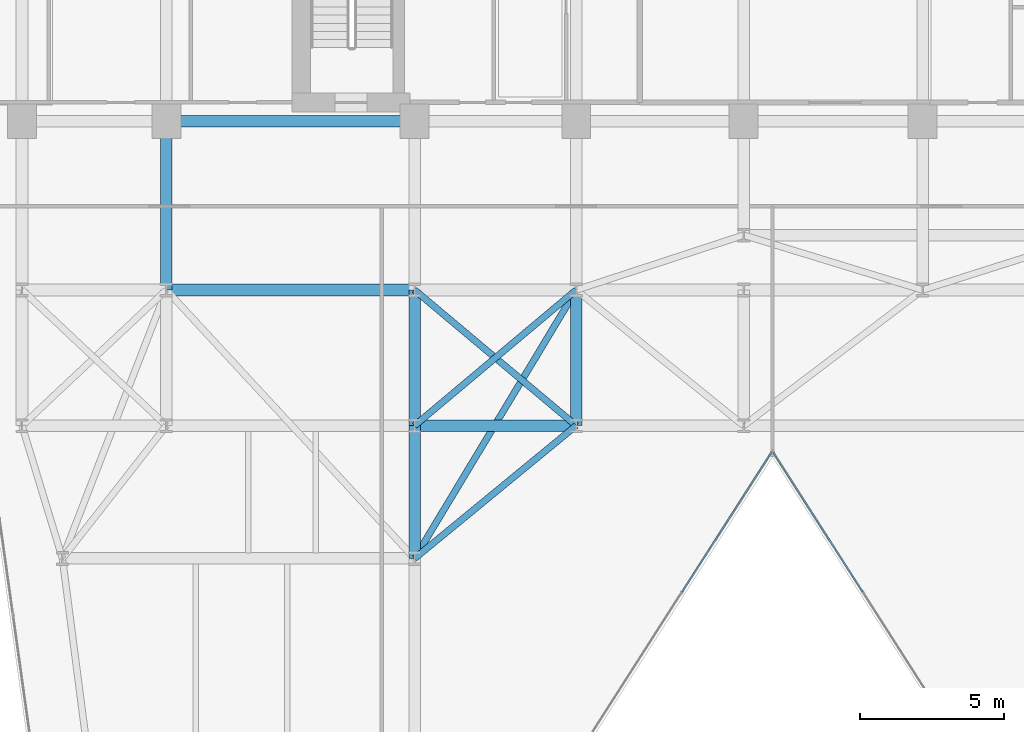
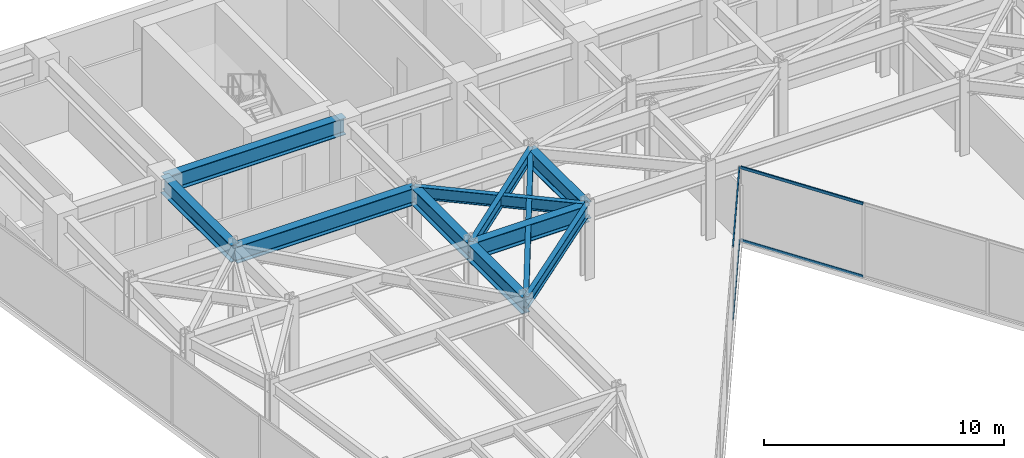
# One storey, part 12 of 26: 11 beams, 4 members, 2 elements without a shape of their own.
"""IFC4 building model written with IfcOpenShell, lengths in metres."""

from ifc_helpers import new_model, si_unit, direction, frame, origin, origin_2d, place, context, subcontext, project, spatial, hollow_rectangle, i_section, extrude, material, layer, layer_set, material_profile, profile_set, type_object, element, aggregate, save


model = new_model("IFC4")

# Units and contexts
model_context = context("Model", 3, precision=1e-05, world=origin(), true_north=direction((0.0, 1.0)))
body_context = subcontext(model_context, "Body", "Model", "MODEL_VIEW")
ifc_project = project(units=[si_unit("LENGTHUNIT", "METRE"), si_unit("AREAUNIT", "SQUARE_METRE"), si_unit("VOLUMEUNIT", "CUBIC_METRE"), si_unit("PLANEANGLEUNIT", "RADIAN"), si_unit("MASSUNIT", "GRAM", prefix="KILO")], contexts=[model_context])

# Site, building, storey
site_placement = place(None, origin())
site = spatial("IfcSite", under=ifc_project, at=site_placement, CompositionType="ELEMENT")
building_placement = place(site_placement, origin())
building = spatial("IfcBuilding", under=site, at=building_placement, Name="Kravanh Interchange Tower", CompositionType="ELEMENT")
storey_placement = place(building_placement, frame((0.0, 0.0, 120.0)))
storey = spatial("IfcBuildingStorey", under=building, at=storey_placement, Name="L28", CompositionType="ELEMENT", Elevation=120.0)

# Curtain wall, members
ifc_material_1 = material(Name="Anodised Bronze Aluminium", Category="aluminium")
ifc_layer = layer(ifc_material_1, 0.179931640625)
ifc_layer_set = layer_set([ifc_layer], Name="Unitised Curtain Wall System CW-Z2 Mid Office")
curtain_wall_type = type_object("IfcCurtainWallType", Name="Unitised Curtain Wall System CW-Z2 Mid Office", PredefinedType="NOTDEFINED", material=ifc_layer_set)
curtain_wall_1_placement = place(storey_placement, origin())
curtain_wall_1 = element("IfcCurtainWall", 1, at=curtain_wall_1_placement, inside=storey, type_object=curtain_wall_type, Name="L28 Unitised Curtain Wall CW-L28-04", PredefinedType="NOTDEFINED")
ifc_material_2 = material(Name="Anodised Bronze Aluminium", Category="aluminium")
ifc_material_profile_1 = material_profile(ifc_material_2, hollow_rectangle(XDim=0.06005859375, YDim=0.139892578125, WallThickness=0.00390625, at=origin_2d()), Name="ALU60X140X4")
ifc_profile_set_1 = profile_set([ifc_material_profile_1], Name="Anodised Bronze Aluminium")
member_type = type_object("IfcMemberType", Name="Curtain Wall Transom ALU60X140X4 Bronze", PredefinedType="USERDEFINED", material=ifc_profile_set_1)
member_1_placement = place(storey_placement, frame((42.72509765625, 21.047119140625, 0.030029296875), z_axis=(-0.53966766312, 0.841878146398, 0.0), x_axis=(-0.841878146398, -0.53966766312, 0.0)))
member_1 = element("IfcMember", 2, at=member_1_placement, type_object=member_type, Name="CW-Z2 transom 4.1", ObjectType="TRANSOM", PredefinedType="USERDEFINED", context=body_context, shape_type="SweptSolid", body=[
    extrude(hollow_rectangle(XDim=0.06005859375, YDim=0.139892578125, WallThickness=0.00390625, at=origin_2d()), origin(), (0.0, 0.0, 1.0), 5.73095703125),
])
member_2_placement = place(storey_placement, frame((42.72509765625, 21.047119140625, 3.719970703125), z_axis=(-0.53966766312, 0.841878146398, 0.0), x_axis=(-0.841878146398, -0.53966766312, 0.0)))
member_2 = element("IfcMember", 3, at=member_2_placement, type_object=member_type, Name="CW-Z2 transom 4.2", ObjectType="TRANSOM", PredefinedType="USERDEFINED", context=body_context, shape_type="SweptSolid", body=[
    extrude(hollow_rectangle(XDim=0.06005859375, YDim=0.139892578125, WallThickness=0.00390625, at=origin_2d()), origin(), (0.0, 0.0, 1.0), 5.73095703125),
])
aggregate(curtain_wall_1, [member_1, member_2])

curtain_wall_2_placement = place(storey_placement, origin())
curtain_wall_2 = element("IfcCurtainWall", 4, at=curtain_wall_2_placement, inside=storey, type_object=curtain_wall_type, Name="L28 Unitised Curtain Wall CW-L28-05", PredefinedType="NOTDEFINED")
member_3_placement = place(storey_placement, frame((39.567626953125, 25.871826171875, 0.030029296875), z_axis=(-0.53966766312, -0.841878146398, 0.0), x_axis=(0.841878146398, -0.53966766312, 0.0)))
member_3 = element("IfcMember", 5, at=member_3_placement, type_object=member_type, Name="CW-Z2 transom 1.1", ObjectType="TRANSOM", PredefinedType="USERDEFINED", context=body_context, shape_type="SweptSolid", body=[
    extrude(hollow_rectangle(XDim=0.06005859375, YDim=0.139892578125, WallThickness=0.00390625, at=origin_2d()), origin(), (0.0, 0.0, 1.0), 5.73095703125),
])
member_4_placement = place(storey_placement, frame((39.567626953125, 25.871826171875, 3.719970703125), z_axis=(-0.53966766312, -0.841878146398, 0.0), x_axis=(0.841878146398, -0.53966766312, 0.0)))
member_4 = element("IfcMember", 6, at=member_4_placement, type_object=member_type, Name="CW-Z2 transom 1.2", ObjectType="TRANSOM", PredefinedType="USERDEFINED", context=body_context, shape_type="SweptSolid", body=[
    extrude(hollow_rectangle(XDim=0.06005859375, YDim=0.139892578125, WallThickness=0.00390625, at=origin_2d()), origin(), (0.0, 0.0, 1.0), 5.73095703125),
])
aggregate(curtain_wall_2, [member_3, member_4])

# Beams
ifc_material_3 = material(Name="Structural Steel S355", Category="steel")
ifc_material_profile_2 = material_profile(ifc_material_3, i_section(OverallWidth=0.39990234375, OverallDepth=0.85595703125, WebThickness=0.018310546875, FlangeThickness=0.029296875, FilletRadius=0.02490234375, at=origin_2d()), Name="W33X201")
ifc_profile_set_2 = profile_set([ifc_material_profile_2], Name="Structural Steel S355")
beam_type_1 = type_object("IfcBeamType", Name="Floor Beam W33X201 Structural Steel S355", PredefinedType="BEAM", material=ifc_profile_set_2)
beam_1_placement = place(storey_placement, frame((27.199951171875, 37.35009765625, 3.322021484375), z_axis=(-1.0, 0.0, 0.0), x_axis=(0.0, -1.0, 0.0)))
element("IfcBeam", 7, at=beam_1_placement, inside=storey, type_object=beam_type_1, Name="L28 Primary Floor Girder 25", PredefinedType="BEAM", context=body_context, shape_type="SweptSolid", body=[
    extrude(i_section(OverallWidth=0.39990234375, OverallDepth=0.85595703125, WebThickness=0.018310546875, FlangeThickness=0.029296875, FilletRadius=0.02490234375, at=origin_2d()), origin(), (0.0, 0.0, 1.0), 8.599853515625),
])
beam_2_placement = place(storey_placement, frame((18.60009765625, 37.35009765625, 3.322021484375), z_axis=(0.0, -1.0, 0.0), x_axis=(1.0, 0.0, 0.0)))
element("IfcBeam", 8, at=beam_2_placement, inside=storey, type_object=beam_type_1, Name="L28 Primary Floor Girder 29", PredefinedType="BEAM", context=body_context, shape_type="SweptSolid", body=[
    extrude(i_section(OverallWidth=0.39990234375, OverallDepth=0.85595703125, WebThickness=0.018310546875, FlangeThickness=0.029296875, FilletRadius=0.02490234375, at=origin_2d()), origin(), (0.0, 0.0, 1.0), 5.85009765625),
])
beam_3_placement = place(storey_placement, frame((27.199951171875, 26.800048828125, 3.322021484375), z_axis=(0.0, -1.0, 0.0), x_axis=(1.0, 0.0, 0.0)))
element("IfcBeam", 9, at=beam_3_placement, inside=storey, type_object=beam_type_1, Name="L28 Primary Floor Girder 45", PredefinedType="BEAM", context=body_context, shape_type="SweptSolid", body=[
    extrude(i_section(OverallWidth=0.39990234375, OverallDepth=0.85595703125, WebThickness=0.018310546875, FlangeThickness=0.029296875, FilletRadius=0.02490234375, at=origin_2d()), origin(), (0.0, 0.0, 1.0), 4.60009765625),
])
beam_4_placement = place(storey_placement, frame((27.199951171875, 26.800048828125, 3.322021484375), z_axis=(0.0, 1.0, 0.0), x_axis=(-1.0, 0.0, 0.0)))
element("IfcBeam", 10, at=beam_4_placement, inside=storey, type_object=beam_type_1, Name="L28 Primary Floor Girder 46", PredefinedType="BEAM", context=body_context, shape_type="SweptSolid", body=[
    extrude(i_section(OverallWidth=0.39990234375, OverallDepth=0.85595703125, WebThickness=0.018310546875, FlangeThickness=0.029296875, FilletRadius=0.02490234375, at=origin_2d()), origin(), (0.0, 0.0, 1.0), 4.699951171875),
])
beam_5_placement = place(storey_placement, frame((27.199951171875, 26.800048828125, 3.322021484375), z_axis=(1.0, 0.0, 0.0), x_axis=(0.0, 1.0, 0.0)))
element("IfcBeam", 11, at=beam_5_placement, inside=storey, type_object=beam_type_1, Name="L28 Primary Floor Girder 47", PredefinedType="BEAM", context=body_context, shape_type="SweptSolid", body=[
    extrude(i_section(OverallWidth=0.39990234375, OverallDepth=0.85595703125, WebThickness=0.018310546875, FlangeThickness=0.029296875, FilletRadius=0.02490234375, at=origin_2d()), origin(), (0.0, 0.0, 1.0), 5.60009765625),
])
beam_6_placement = place(storey_placement, frame((32.800048828125, 26.800048828125, 3.322021484375), z_axis=(0.0, 1.0, 0.0), x_axis=(-1.0, 0.0, 0.0)))
element("IfcBeam", 12, at=beam_6_placement, inside=storey, type_object=beam_type_1, Name="L28 Primary Floor Girder 49", PredefinedType="BEAM", context=body_context, shape_type="SweptSolid", body=[
    extrude(i_section(OverallWidth=0.39990234375, OverallDepth=0.85595703125, WebThickness=0.018310546875, FlangeThickness=0.029296875, FilletRadius=0.02490234375, at=origin_2d()), origin(), (0.0, 0.0, 1.0), 4.699951171875),
])
beam_7_placement = place(storey_placement, frame((18.60009765625, 31.5, 3.322021484375), z_axis=(1.0, 0.0, 0.0), x_axis=(0.0, 1.0, 0.0)))
element("IfcBeam", 13, at=beam_7_placement, inside=storey, type_object=beam_type_1, Name="L28 Primary Floor Girder 71", PredefinedType="BEAM", context=body_context, shape_type="SweptSolid", body=[
    extrude(i_section(OverallWidth=0.39990234375, OverallDepth=0.85595703125, WebThickness=0.018310546875, FlangeThickness=0.029296875, FilletRadius=0.02490234375, at=origin_2d()), origin(), (0.0, 0.0, 1.0), 8.599853515625),
])
ifc_material_4 = material(Name="Structural Steel S355", Category="steel")
ifc_material_profile_3 = material_profile(ifc_material_4, i_section(OverallWidth=0.22802734375, OverallDepth=0.60791015625, WebThickness=0.01123046875, FlangeThickness=0.017333984375, FilletRadius=0.02197265625, at=origin_2d()), Name="W24X76")
ifc_profile_set_3 = profile_set([ifc_material_profile_3], Name="Structural Steel S355")
beam_type_2 = type_object("IfcBeamType", Name="Floor Spandrel W24X76 Structural Steel S355", PredefinedType="SPANDREL", material=ifc_profile_set_3)
beam_8_placement = place(storey_placement, frame((27.199951171875, 26.800048828125, 3.446044921875), z_axis=(0.765983062929, 0.642860752657, 0.0), x_axis=(-0.642860752657, 0.765983062929, 0.0)))
element("IfcBeam", 14, at=beam_8_placement, inside=storey, type_object=beam_type_2, Name="L28 Perimeter Spandrel 48", PredefinedType="SPANDREL", context=body_context, shape_type="SweptSolid", body=[
    extrude(i_section(OverallWidth=0.22802734375, OverallDepth=0.60791015625, WebThickness=0.01123046875, FlangeThickness=0.017333984375, FilletRadius=0.02197265625, at=origin_2d()), origin(), (0.0, 0.0, 1.0), 7.31103515625),
])
beam_9_placement = place(storey_placement, frame((32.800048828125, 26.800048828125, 3.446044921875), z_axis=(-0.772725074305, -0.634740860147, 0.0), x_axis=(0.634740860147, -0.772725074305, 0.0)))
element("IfcBeam", 15, at=beam_9_placement, inside=storey, type_object=beam_type_2, Name="L28 Perimeter Spandrel 51", PredefinedType="SPANDREL", context=body_context, shape_type="SweptSolid", body=[
    extrude(i_section(OverallWidth=0.22802734375, OverallDepth=0.60791015625, WebThickness=0.01123046875, FlangeThickness=0.017333984375, FilletRadius=0.02197265625, at=origin_2d()), origin(), (0.0, 0.0, 1.0), 7.247314453125),
])
beam_10_placement = place(storey_placement, frame((32.800048828125, 26.800048828125, 3.446044921875), z_axis=(-0.765983062929, 0.642860752657, 0.0), x_axis=(-0.642860752657, -0.765983062929, 0.0)))
element("IfcBeam", 16, at=beam_10_placement, inside=storey, type_object=beam_type_2, Name="L28 Perimeter Spandrel 52", PredefinedType="SPANDREL", context=body_context, shape_type="SweptSolid", body=[
    extrude(i_section(OverallWidth=0.22802734375, OverallDepth=0.60791015625, WebThickness=0.01123046875, FlangeThickness=0.017333984375, FilletRadius=0.02197265625, at=origin_2d()), origin(), (0.0, 0.0, 1.0), 7.31103515625),
])
beam_11_placement = place(storey_placement, frame((32.800048828125, 31.5, 3.446044921875), z_axis=(-0.515854375109, -0.856676288735, 0.0), x_axis=(0.856676288735, -0.515854375109, 0.0)))
element("IfcBeam", 17, at=beam_11_placement, inside=storey, type_object=beam_type_2, Name="L28 Perimeter Spandrel 80", PredefinedType="SPANDREL", context=body_context, shape_type="SweptSolid", body=[
    extrude(i_section(OverallWidth=0.22802734375, OverallDepth=0.60791015625, WebThickness=0.01123046875, FlangeThickness=0.017333984375, FilletRadius=0.02197265625, at=origin_2d()), origin(), (0.0, 0.0, 1.0), 10.85595703125),
])

save(model, "model.ifc")
